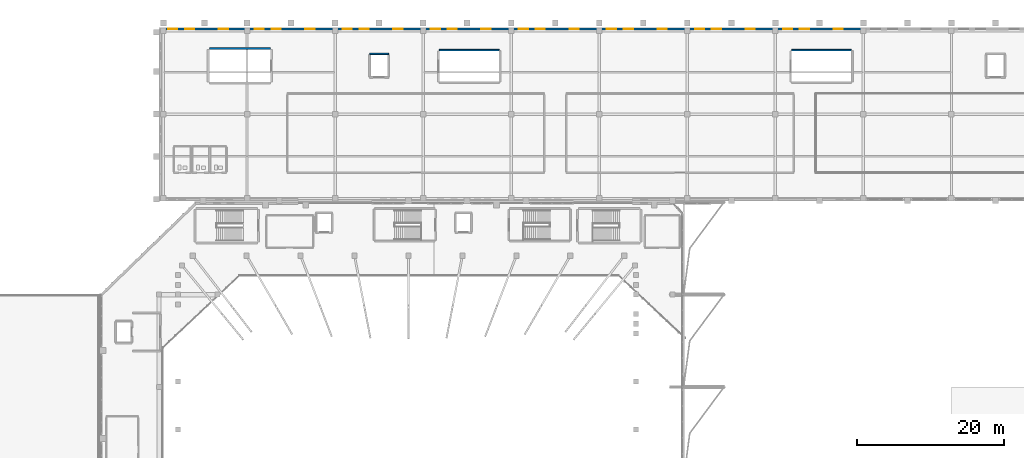
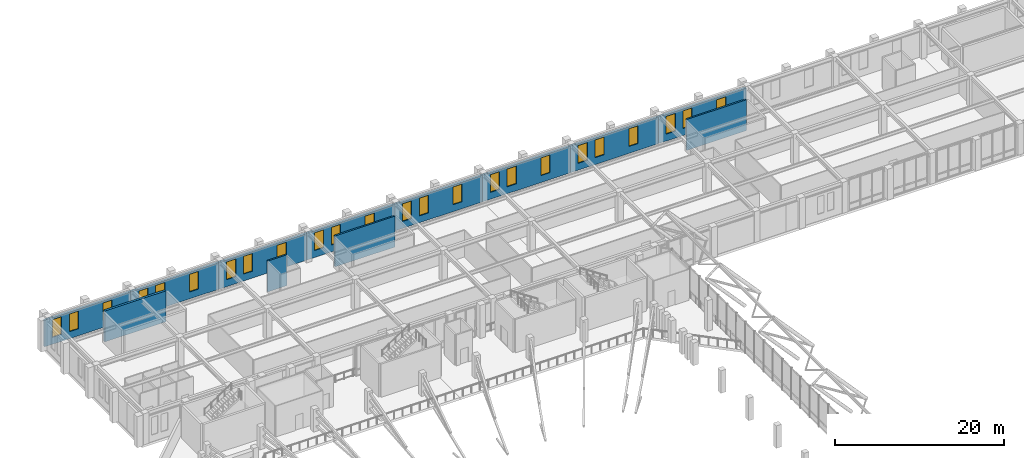
# One storey, part 66 of 79: 24 windows, 12 walls, 24 openings.
"""IFC4 building model written with IfcOpenShell, lengths in metres."""

from ifc_helpers import new_model, si_unit, derived_unit, direction, frame, frame_2d, origin, place, context, subcontext, project, spatial, rectangle, extrude, material, layer, layer_set, type_object, element, fill, save


model = new_model("IFC4")

# Units and contexts
model_context = context("Model", 3, precision=1e-05, world=origin(), true_north=direction((0.0, 1.0)))
body_context = subcontext(model_context, "Body", "Model", "MODEL_VIEW")
ifc_project = project(units=[si_unit("LENGTHUNIT", "METRE"), si_unit("AREAUNIT", "SQUARE_METRE"), si_unit("VOLUMEUNIT", "CUBIC_METRE"), si_unit("PLANEANGLEUNIT", "RADIAN"), si_unit("MASSUNIT", "GRAM", prefix="KILO"), derived_unit("THERMALTRANSMITTANCEUNIT", [(si_unit("MASSUNIT", "GRAM", prefix="KILO"), 1), (si_unit("TIMEUNIT", "SECOND"), -3), (si_unit("THERMODYNAMICTEMPERATUREUNIT", "KELVIN"), -1)])], contexts=[model_context])

# Site, building, storey
site_placement = place(None, origin())
site = spatial("IfcSite", under=ifc_project, at=site_placement, CompositionType="ELEMENT")
building_placement = place(site_placement, origin())
building = spatial("IfcBuilding", under=site, at=building_placement, Name="Valcora Ridge Arena", CompositionType="ELEMENT")
storey_placement = place(building_placement, frame((0.0, 0.0, 16.199951171875)))
storey = spatial("IfcBuildingStorey", under=building, at=storey_placement, Name="L03", CompositionType="ELEMENT", Elevation=16.199951171875)

# Wall, openings, windows
ifc_material_1 = material(Name="Bush-hammered Andean travertine on concrete backup C40/50", Category="masonry")
ifc_layer_1 = layer(ifc_material_1, 0.280029296875, Name="Bush-hammered Andean travertine on concrete backup C40/50")
ifc_layer_set_1 = layer_set([ifc_layer_1], Name="Bush-hammered Andean travertine on concrete backup C40/50")
wall_type_1 = type_object("IfcWallType", Name="TY-WALL-EW-TRV-28-38", PredefinedType="STANDARD", material=ifc_layer_set_1)
wall_1_placement = place(storey_placement, frame((24.219970703125, 131.820068359375, 0.0), z_axis=(0.0, 0.0, 1.0), x_axis=(1.0, 0.0, 0.0)))
wall_1 = element("IfcWall", 1, at=wall_1_placement, inside=storey, type_object=wall_type_1, Name="EW-TRV-28-38 WAL-EW-0194", PredefinedType="STANDARD", context=body_context, shape_type="SweptSolid", body=[
    extrude(rectangle(XDim=11.780029296875, YDim=0.280029296875, at=frame_2d((5.89013671875, 0.0))), origin(), (0.0, 0.0, 1.0), 3.84814453125),
])
opening_1_placement = place(wall_1_placement, frame((1.050048828125, 0.0, 1.0)))
opening_1 = element("IfcOpeningElement", 2, at=opening_1_placement, cuts=wall_1, Name="Opening W-LAN-125X255", PredefinedType="OPENING", context=body_context, shape_type="SweptSolid", body=[
    extrude(rectangle(XDim=1.25, YDim=2.550048828125, at=frame_2d((0.625, 1.27490234375))), frame((0.0, 0.14990234375, 0.0), z_axis=(0.0, -1.0, 0.0), x_axis=(1.0, 0.0, 0.0)), (0.0, 0.0, 1.0), 0.300048828125),
])
opening_2_placement = place(wall_1_placement, frame((3.35009765625, 0.0, 1.0)))
opening_2 = element("IfcOpeningElement", 3, at=opening_2_placement, cuts=wall_1, Name="Opening W-LAN-125X255", PredefinedType="OPENING", context=body_context, shape_type="SweptSolid", body=[
    extrude(rectangle(XDim=1.25, YDim=2.550048828125, at=frame_2d((0.625, 1.27490234375))), frame((0.0, 0.14990234375, 0.0), z_axis=(0.0, -1.0, 0.0), x_axis=(1.0, 0.0, 0.0)), (0.0, 0.0, 1.0), 0.300048828125),
])
opening_3_placement = place(wall_1_placement, frame((7.949951171875, 0.0, 1.0)))
opening_3 = element("IfcOpeningElement", 4, at=opening_3_placement, cuts=wall_1, Name="Opening W-LAN-125X255", PredefinedType="OPENING", context=body_context, shape_type="SweptSolid", body=[
    extrude(rectangle(XDim=1.25, YDim=2.550048828125, at=frame_2d((0.625, 1.27490234375))), frame((0.0, 0.14990234375, 0.0), z_axis=(0.0, -1.0, 0.0), x_axis=(1.0, 0.0, 0.0)), (0.0, 0.0, 1.0), 0.300048828125),
])
ifc_material_2 = material(Name="Low-iron solar-control double glazing SHGC 0.28", Category="glass")
window_type = type_object("IfcWindowType", Name="TY-WINDOW-W-LAN-125X255", PartitioningType="DOUBLE_PANEL_VERTICAL", PredefinedType="WINDOW", material=ifc_material_2)
window_1_placement = place(opening_1_placement, origin())
window_1 = element("IfcWindow", 5, at=window_1_placement, inside=storey, type_object=window_type, Name="W-LAN-125X255 WIN-EX-0584", OverallHeight=2.550048828125, OverallWidth=1.25, PartitioningType="DOUBLE_PANEL_VERTICAL", PredefinedType="WINDOW", context=body_context, shape_type="SweptSolid", body=[
    extrude(rectangle(XDim=1.25, YDim=2.550048828125, at=frame_2d((0.625, 1.27490234375))), frame((0.0, 0.030029296875, 0.0), z_axis=(0.0, -1.0, 0.0), x_axis=(1.0, 0.0, 0.0)), (0.0, 0.0, 1.0), 0.06005859375),
])
fill(opening_1, window_1)
window_2_placement = place(opening_2_placement, origin())
window_2 = element("IfcWindow", 6, at=window_2_placement, inside=storey, type_object=window_type, Name="W-LAN-125X255 WIN-EX-0585", OverallHeight=2.550048828125, OverallWidth=1.25, PartitioningType="DOUBLE_PANEL_VERTICAL", PredefinedType="WINDOW", context=body_context, shape_type="SweptSolid", body=[
    extrude(rectangle(XDim=1.25, YDim=2.550048828125, at=frame_2d((0.625, 1.27490234375))), frame((0.0, 0.030029296875, 0.0), z_axis=(0.0, -1.0, 0.0), x_axis=(1.0, 0.0, 0.0)), (0.0, 0.0, 1.0), 0.06005859375),
])
fill(opening_2, window_2)
window_3_placement = place(opening_3_placement, origin())
window_3 = element("IfcWindow", 7, at=window_3_placement, inside=storey, type_object=window_type, Name="W-LAN-125X255 WIN-EX-0586", OverallHeight=2.550048828125, OverallWidth=1.25, PartitioningType="DOUBLE_PANEL_VERTICAL", PredefinedType="WINDOW", context=body_context, shape_type="SweptSolid", body=[
    extrude(rectangle(XDim=1.25, YDim=2.550048828125, at=frame_2d((0.625, 1.27490234375))), frame((0.0, 0.030029296875, 0.0), z_axis=(0.0, -1.0, 0.0), x_axis=(1.0, 0.0, 0.0)), (0.0, 0.0, 1.0), 0.06005859375),
])
fill(opening_3, window_3)

wall_2_placement = place(storey_placement, frame((36.0, 131.820068359375, 0.0), z_axis=(0.0, 0.0, 1.0), x_axis=(1.0, 0.0, 0.0)))
wall_2 = element("IfcWall", 8, at=wall_2_placement, inside=storey, type_object=wall_type_1, Name="EW-TRV-28-38 WAL-EW-0195", PredefinedType="STANDARD", context=body_context, shape_type="SweptSolid", body=[
    extrude(rectangle(XDim=12.0, YDim=0.280029296875, at=frame_2d((6.0, 0.0))), origin(), (0.0, 0.0, 1.0), 3.84814453125),
])
opening_4_placement = place(wall_2_placement, frame((1.050048828125, 0.0, 1.0)))
opening_4 = element("IfcOpeningElement", 9, at=opening_4_placement, cuts=wall_2, Name="Opening W-LAN-125X255", PredefinedType="OPENING", context=body_context, shape_type="SweptSolid", body=[
    extrude(rectangle(XDim=1.25, YDim=2.550048828125, at=frame_2d((0.625, 1.27490234375))), frame((0.0, 0.14990234375, 0.0), z_axis=(0.0, -1.0, 0.0), x_axis=(1.0, 0.0, 0.0)), (0.0, 0.0, 1.0), 0.300048828125),
])
opening_5_placement = place(wall_2_placement, frame((3.35009765625, 0.0, 1.0)))
opening_5 = element("IfcOpeningElement", 10, at=opening_5_placement, cuts=wall_2, Name="Opening W-LAN-125X255", PredefinedType="OPENING", context=body_context, shape_type="SweptSolid", body=[
    extrude(rectangle(XDim=1.25, YDim=2.550048828125, at=frame_2d((0.625, 1.27490234375))), frame((0.0, 0.14990234375, 0.0), z_axis=(0.0, -1.0, 0.0), x_axis=(1.0, 0.0, 0.0)), (0.0, 0.0, 1.0), 0.300048828125),
])
opening_6_placement = place(wall_2_placement, frame((7.949951171875, 0.0, 1.0)))
opening_6 = element("IfcOpeningElement", 11, at=opening_6_placement, cuts=wall_2, Name="Opening W-LAN-125X255", PredefinedType="OPENING", context=body_context, shape_type="SweptSolid", body=[
    extrude(rectangle(XDim=1.25, YDim=2.550048828125, at=frame_2d((0.625, 1.27490234375))), frame((0.0, 0.14990234375, 0.0), z_axis=(0.0, -1.0, 0.0), x_axis=(1.0, 0.0, 0.0)), (0.0, 0.0, 1.0), 0.300048828125),
])
window_4_placement = place(opening_4_placement, origin())
window_4 = element("IfcWindow", 12, at=window_4_placement, inside=storey, type_object=window_type, Name="W-LAN-125X255 WIN-EX-0587", OverallHeight=2.550048828125, OverallWidth=1.25, PartitioningType="DOUBLE_PANEL_VERTICAL", PredefinedType="WINDOW", context=body_context, shape_type="SweptSolid", body=[
    extrude(rectangle(XDim=1.25, YDim=2.550048828125, at=frame_2d((0.625, 1.27490234375))), frame((0.0, 0.030029296875, 0.0), z_axis=(0.0, -1.0, 0.0), x_axis=(1.0, 0.0, 0.0)), (0.0, 0.0, 1.0), 0.06005859375),
])
fill(opening_4, window_4)
window_5_placement = place(opening_5_placement, origin())
window_5 = element("IfcWindow", 13, at=window_5_placement, inside=storey, type_object=window_type, Name="W-LAN-125X255 WIN-EX-0588", OverallHeight=2.550048828125, OverallWidth=1.25, PartitioningType="DOUBLE_PANEL_VERTICAL", PredefinedType="WINDOW", context=body_context, shape_type="SweptSolid", body=[
    extrude(rectangle(XDim=1.25, YDim=2.550048828125, at=frame_2d((0.625, 1.27490234375))), frame((0.0, 0.030029296875, 0.0), z_axis=(0.0, -1.0, 0.0), x_axis=(1.0, 0.0, 0.0)), (0.0, 0.0, 1.0), 0.06005859375),
])
fill(opening_5, window_5)
window_6_placement = place(opening_6_placement, origin())
window_6 = element("IfcWindow", 14, at=window_6_placement, inside=storey, type_object=window_type, Name="W-LAN-125X255 WIN-EX-0589", OverallHeight=2.550048828125, OverallWidth=1.25, PartitioningType="DOUBLE_PANEL_VERTICAL", PredefinedType="WINDOW", context=body_context, shape_type="SweptSolid", body=[
    extrude(rectangle(XDim=1.25, YDim=2.550048828125, at=frame_2d((0.625, 1.27490234375))), frame((0.0, 0.030029296875, 0.0), z_axis=(0.0, -1.0, 0.0), x_axis=(1.0, 0.0, 0.0)), (0.0, 0.0, 1.0), 0.06005859375),
])
fill(opening_6, window_6)

wall_3_placement = place(storey_placement, frame((48.0, 131.820068359375, 0.0), z_axis=(0.0, 0.0, 1.0), x_axis=(1.0, 0.0, 0.0)))
wall_3 = element("IfcWall", 15, at=wall_3_placement, inside=storey, type_object=wall_type_1, Name="EW-TRV-28-38 WAL-EW-0196", PredefinedType="STANDARD", context=body_context, shape_type="SweptSolid", body=[
    extrude(rectangle(XDim=12.0, YDim=0.280029296875, at=frame_2d((6.0, 0.0))), origin(), (0.0, 0.0, 1.0), 3.84814453125),
])
opening_7_placement = place(wall_3_placement, frame((1.050048828125, 0.0, 1.0)))
opening_7 = element("IfcOpeningElement", 16, at=opening_7_placement, cuts=wall_3, Name="Opening W-LAN-125X255", PredefinedType="OPENING", context=body_context, shape_type="SweptSolid", body=[
    extrude(rectangle(XDim=1.25, YDim=2.550048828125, at=frame_2d((0.625, 1.27490234375))), frame((0.0, 0.14990234375, 0.0), z_axis=(0.0, -1.0, 0.0), x_axis=(1.0, 0.0, 0.0)), (0.0, 0.0, 1.0), 0.300048828125),
])
opening_8_placement = place(wall_3_placement, frame((3.35009765625, 0.0, 1.0)))
opening_8 = element("IfcOpeningElement", 17, at=opening_8_placement, cuts=wall_3, Name="Opening W-LAN-125X255", PredefinedType="OPENING", context=body_context, shape_type="SweptSolid", body=[
    extrude(rectangle(XDim=1.25, YDim=2.550048828125, at=frame_2d((0.625, 1.27490234375))), frame((0.0, 0.14990234375, 0.0), z_axis=(0.0, -1.0, 0.0), x_axis=(1.0, 0.0, 0.0)), (0.0, 0.0, 1.0), 0.300048828125),
])
opening_9_placement = place(wall_3_placement, frame((7.949951171875, 0.0, 1.0)))
opening_9 = element("IfcOpeningElement", 18, at=opening_9_placement, cuts=wall_3, Name="Opening W-LAN-125X255", PredefinedType="OPENING", context=body_context, shape_type="SweptSolid", body=[
    extrude(rectangle(XDim=1.25, YDim=2.550048828125, at=frame_2d((0.625, 1.27490234375))), frame((0.0, 0.14990234375, 0.0), z_axis=(0.0, -1.0, 0.0), x_axis=(1.0, 0.0, 0.0)), (0.0, 0.0, 1.0), 0.300048828125),
])
window_7_placement = place(opening_7_placement, origin())
window_7 = element("IfcWindow", 19, at=window_7_placement, inside=storey, type_object=window_type, Name="W-LAN-125X255 WIN-EX-0590", OverallHeight=2.550048828125, OverallWidth=1.25, PartitioningType="DOUBLE_PANEL_VERTICAL", PredefinedType="WINDOW", context=body_context, shape_type="SweptSolid", body=[
    extrude(rectangle(XDim=1.25, YDim=2.550048828125, at=frame_2d((0.625, 1.27490234375))), frame((0.0, 0.030029296875, 0.0), z_axis=(0.0, -1.0, 0.0), x_axis=(1.0, 0.0, 0.0)), (0.0, 0.0, 1.0), 0.06005859375),
])
fill(opening_7, window_7)
window_8_placement = place(opening_8_placement, origin())
window_8 = element("IfcWindow", 20, at=window_8_placement, inside=storey, type_object=window_type, Name="W-LAN-125X255 WIN-EX-0591", OverallHeight=2.550048828125, OverallWidth=1.25, PartitioningType="DOUBLE_PANEL_VERTICAL", PredefinedType="WINDOW", context=body_context, shape_type="SweptSolid", body=[
    extrude(rectangle(XDim=1.25, YDim=2.550048828125, at=frame_2d((0.625, 1.27490234375))), frame((0.0, 0.030029296875, 0.0), z_axis=(0.0, -1.0, 0.0), x_axis=(1.0, 0.0, 0.0)), (0.0, 0.0, 1.0), 0.06005859375),
])
fill(opening_8, window_8)
window_9_placement = place(opening_9_placement, origin())
window_9 = element("IfcWindow", 21, at=window_9_placement, inside=storey, type_object=window_type, Name="W-LAN-125X255 WIN-EX-0592", OverallHeight=2.550048828125, OverallWidth=1.25, PartitioningType="DOUBLE_PANEL_VERTICAL", PredefinedType="WINDOW", context=body_context, shape_type="SweptSolid", body=[
    extrude(rectangle(XDim=1.25, YDim=2.550048828125, at=frame_2d((0.625, 1.27490234375))), frame((0.0, 0.030029296875, 0.0), z_axis=(0.0, -1.0, 0.0), x_axis=(1.0, 0.0, 0.0)), (0.0, 0.0, 1.0), 0.06005859375),
])
fill(opening_9, window_9)

wall_4_placement = place(storey_placement, frame((60.0, 131.820068359375, 0.0), z_axis=(0.0, 0.0, 1.0), x_axis=(1.0, 0.0, 0.0)))
wall_4 = element("IfcWall", 22, at=wall_4_placement, inside=storey, type_object=wall_type_1, Name="EW-TRV-28-38 WAL-EW-0197", PredefinedType="STANDARD", context=body_context, shape_type="SweptSolid", body=[
    extrude(rectangle(XDim=12.0, YDim=0.280029296875, at=frame_2d((6.0, 0.0))), origin(), (0.0, 0.0, 1.0), 3.84814453125),
])
opening_10_placement = place(wall_4_placement, frame((1.050048828125, 0.0, 1.0)))
opening_10 = element("IfcOpeningElement", 23, at=opening_10_placement, cuts=wall_4, Name="Opening W-LAN-125X255", PredefinedType="OPENING", context=body_context, shape_type="SweptSolid", body=[
    extrude(rectangle(XDim=1.25, YDim=2.550048828125, at=frame_2d((0.625, 1.27490234375))), frame((0.0, 0.14990234375, 0.0), z_axis=(0.0, -1.0, 0.0), x_axis=(1.0, 0.0, 0.0)), (0.0, 0.0, 1.0), 0.300048828125),
])
opening_11_placement = place(wall_4_placement, frame((3.35009765625, 0.0, 1.0)))
opening_11 = element("IfcOpeningElement", 24, at=opening_11_placement, cuts=wall_4, Name="Opening W-LAN-125X255", PredefinedType="OPENING", context=body_context, shape_type="SweptSolid", body=[
    extrude(rectangle(XDim=1.25, YDim=2.550048828125, at=frame_2d((0.625, 1.27490234375))), frame((0.0, 0.14990234375, 0.0), z_axis=(0.0, -1.0, 0.0), x_axis=(1.0, 0.0, 0.0)), (0.0, 0.0, 1.0), 0.300048828125),
])
opening_12_placement = place(wall_4_placement, frame((7.949951171875, 0.0, 1.0)))
opening_12 = element("IfcOpeningElement", 25, at=opening_12_placement, cuts=wall_4, Name="Opening W-LAN-125X255", PredefinedType="OPENING", context=body_context, shape_type="SweptSolid", body=[
    extrude(rectangle(XDim=1.25, YDim=2.550048828125, at=frame_2d((0.625, 1.27490234375))), frame((0.0, 0.14990234375, 0.0), z_axis=(0.0, -1.0, 0.0), x_axis=(1.0, 0.0, 0.0)), (0.0, 0.0, 1.0), 0.300048828125),
])
window_10_placement = place(opening_10_placement, origin())
window_10 = element("IfcWindow", 26, at=window_10_placement, inside=storey, type_object=window_type, Name="W-LAN-125X255 WIN-EX-0593", OverallHeight=2.550048828125, OverallWidth=1.25, PartitioningType="DOUBLE_PANEL_VERTICAL", PredefinedType="WINDOW", context=body_context, shape_type="SweptSolid", body=[
    extrude(rectangle(XDim=1.25, YDim=2.550048828125, at=frame_2d((0.625, 1.27490234375))), frame((0.0, 0.030029296875, 0.0), z_axis=(0.0, -1.0, 0.0), x_axis=(1.0, 0.0, 0.0)), (0.0, 0.0, 1.0), 0.06005859375),
])
fill(opening_10, window_10)
window_11_placement = place(opening_11_placement, origin())
window_11 = element("IfcWindow", 27, at=window_11_placement, inside=storey, type_object=window_type, Name="W-LAN-125X255 WIN-EX-0594", OverallHeight=2.550048828125, OverallWidth=1.25, PartitioningType="DOUBLE_PANEL_VERTICAL", PredefinedType="WINDOW", context=body_context, shape_type="SweptSolid", body=[
    extrude(rectangle(XDim=1.25, YDim=2.550048828125, at=frame_2d((0.625, 1.27490234375))), frame((0.0, 0.030029296875, 0.0), z_axis=(0.0, -1.0, 0.0), x_axis=(1.0, 0.0, 0.0)), (0.0, 0.0, 1.0), 0.06005859375),
])
fill(opening_11, window_11)
window_12_placement = place(opening_12_placement, origin())
window_12 = element("IfcWindow", 28, at=window_12_placement, inside=storey, type_object=window_type, Name="W-LAN-125X255 WIN-EX-0595", OverallHeight=2.550048828125, OverallWidth=1.25, PartitioningType="DOUBLE_PANEL_VERTICAL", PredefinedType="WINDOW", context=body_context, shape_type="SweptSolid", body=[
    extrude(rectangle(XDim=1.25, YDim=2.550048828125, at=frame_2d((0.625, 1.27490234375))), frame((0.0, 0.030029296875, 0.0), z_axis=(0.0, -1.0, 0.0), x_axis=(1.0, 0.0, 0.0)), (0.0, 0.0, 1.0), 0.06005859375),
])
fill(opening_12, window_12)

wall_5_placement = place(storey_placement, frame((72.0, 131.820068359375, 0.0), z_axis=(0.0, 0.0, 1.0), x_axis=(1.0, 0.0, 0.0)))
wall_5 = element("IfcWall", 29, at=wall_5_placement, inside=storey, type_object=wall_type_1, Name="EW-TRV-28-38 WAL-EW-0198", PredefinedType="STANDARD", context=body_context, shape_type="SweptSolid", body=[
    extrude(rectangle(XDim=12.0, YDim=0.280029296875, at=frame_2d((6.0, 0.0))), origin(), (0.0, 0.0, 1.0), 3.84814453125),
])
opening_13_placement = place(wall_5_placement, frame((1.050048828125, 0.0, 1.0)))
opening_13 = element("IfcOpeningElement", 30, at=opening_13_placement, cuts=wall_5, Name="Opening W-LAN-125X255", PredefinedType="OPENING", context=body_context, shape_type="SweptSolid", body=[
    extrude(rectangle(XDim=1.25, YDim=2.550048828125, at=frame_2d((0.625, 1.27490234375))), frame((0.0, 0.14990234375, 0.0), z_axis=(0.0, -1.0, 0.0), x_axis=(1.0, 0.0, 0.0)), (0.0, 0.0, 1.0), 0.300048828125),
])
opening_14_placement = place(wall_5_placement, frame((3.35009765625, 0.0, 1.0)))
opening_14 = element("IfcOpeningElement", 31, at=opening_14_placement, cuts=wall_5, Name="Opening W-LAN-125X255", PredefinedType="OPENING", context=body_context, shape_type="SweptSolid", body=[
    extrude(rectangle(XDim=1.25, YDim=2.550048828125, at=frame_2d((0.625, 1.27490234375))), frame((0.0, 0.14990234375, 0.0), z_axis=(0.0, -1.0, 0.0), x_axis=(1.0, 0.0, 0.0)), (0.0, 0.0, 1.0), 0.300048828125),
])
opening_15_placement = place(wall_5_placement, frame((7.949951171875, 0.0, 1.0)))
opening_15 = element("IfcOpeningElement", 32, at=opening_15_placement, cuts=wall_5, Name="Opening W-LAN-125X255", PredefinedType="OPENING", context=body_context, shape_type="SweptSolid", body=[
    extrude(rectangle(XDim=1.25, YDim=2.550048828125, at=frame_2d((0.625, 1.27490234375))), frame((0.0, 0.14990234375, 0.0), z_axis=(0.0, -1.0, 0.0), x_axis=(1.0, 0.0, 0.0)), (0.0, 0.0, 1.0), 0.300048828125),
])
window_13_placement = place(opening_13_placement, origin())
window_13 = element("IfcWindow", 33, at=window_13_placement, inside=storey, type_object=window_type, Name="W-LAN-125X255 WIN-EX-0596", OverallHeight=2.550048828125, OverallWidth=1.25, PartitioningType="DOUBLE_PANEL_VERTICAL", PredefinedType="WINDOW", context=body_context, shape_type="SweptSolid", body=[
    extrude(rectangle(XDim=1.25, YDim=2.550048828125, at=frame_2d((0.625, 1.27490234375))), frame((0.0, 0.030029296875, 0.0), z_axis=(0.0, -1.0, 0.0), x_axis=(1.0, 0.0, 0.0)), (0.0, 0.0, 1.0), 0.06005859375),
])
fill(opening_13, window_13)
window_14_placement = place(opening_14_placement, origin())
window_14 = element("IfcWindow", 34, at=window_14_placement, inside=storey, type_object=window_type, Name="W-LAN-125X255 WIN-EX-0597", OverallHeight=2.550048828125, OverallWidth=1.25, PartitioningType="DOUBLE_PANEL_VERTICAL", PredefinedType="WINDOW", context=body_context, shape_type="SweptSolid", body=[
    extrude(rectangle(XDim=1.25, YDim=2.550048828125, at=frame_2d((0.625, 1.27490234375))), frame((0.0, 0.030029296875, 0.0), z_axis=(0.0, -1.0, 0.0), x_axis=(1.0, 0.0, 0.0)), (0.0, 0.0, 1.0), 0.06005859375),
])
fill(opening_14, window_14)
window_15_placement = place(opening_15_placement, origin())
window_15 = element("IfcWindow", 35, at=window_15_placement, inside=storey, type_object=window_type, Name="W-LAN-125X255 WIN-EX-0598", OverallHeight=2.550048828125, OverallWidth=1.25, PartitioningType="DOUBLE_PANEL_VERTICAL", PredefinedType="WINDOW", context=body_context, shape_type="SweptSolid", body=[
    extrude(rectangle(XDim=1.25, YDim=2.550048828125, at=frame_2d((0.625, 1.27490234375))), frame((0.0, 0.030029296875, 0.0), z_axis=(0.0, -1.0, 0.0), x_axis=(1.0, 0.0, 0.0)), (0.0, 0.0, 1.0), 0.06005859375),
])
fill(opening_15, window_15)

wall_6_placement = place(storey_placement, frame((84.0, 131.820068359375, 0.0), z_axis=(0.0, 0.0, 1.0), x_axis=(1.0, 0.0, 0.0)))
wall_6 = element("IfcWall", 36, at=wall_6_placement, inside=storey, type_object=wall_type_1, Name="EW-TRV-28-38 WAL-EW-0199", PredefinedType="STANDARD", context=body_context, shape_type="SweptSolid", body=[
    extrude(rectangle(XDim=12.0, YDim=0.280029296875, at=frame_2d((6.0, 0.0))), origin(), (0.0, 0.0, 1.0), 3.84814453125),
])
opening_16_placement = place(wall_6_placement, frame((1.050048828125, 0.0, 1.0)))
opening_16 = element("IfcOpeningElement", 37, at=opening_16_placement, cuts=wall_6, Name="Opening W-LAN-125X255", PredefinedType="OPENING", context=body_context, shape_type="SweptSolid", body=[
    extrude(rectangle(XDim=1.25, YDim=2.550048828125, at=frame_2d((0.625, 1.27490234375))), frame((0.0, 0.14990234375, 0.0), z_axis=(0.0, -1.0, 0.0), x_axis=(1.0, 0.0, 0.0)), (0.0, 0.0, 1.0), 0.300048828125),
])
opening_17_placement = place(wall_6_placement, frame((3.35009765625, 0.0, 1.0)))
opening_17 = element("IfcOpeningElement", 38, at=opening_17_placement, cuts=wall_6, Name="Opening W-LAN-125X255", PredefinedType="OPENING", context=body_context, shape_type="SweptSolid", body=[
    extrude(rectangle(XDim=1.25, YDim=2.550048828125, at=frame_2d((0.625, 1.27490234375))), frame((0.0, 0.14990234375, 0.0), z_axis=(0.0, -1.0, 0.0), x_axis=(1.0, 0.0, 0.0)), (0.0, 0.0, 1.0), 0.300048828125),
])
opening_18_placement = place(wall_6_placement, frame((7.949951171875, 0.0, 1.0)))
opening_18 = element("IfcOpeningElement", 39, at=opening_18_placement, cuts=wall_6, Name="Opening W-LAN-125X255", PredefinedType="OPENING", context=body_context, shape_type="SweptSolid", body=[
    extrude(rectangle(XDim=1.25, YDim=2.550048828125, at=frame_2d((0.625, 1.27490234375))), frame((0.0, 0.14990234375, 0.0), z_axis=(0.0, -1.0, 0.0), x_axis=(1.0, 0.0, 0.0)), (0.0, 0.0, 1.0), 0.300048828125),
])
window_16_placement = place(opening_16_placement, origin())
window_16 = element("IfcWindow", 40, at=window_16_placement, inside=storey, type_object=window_type, Name="W-LAN-125X255 WIN-EX-0599", OverallHeight=2.550048828125, OverallWidth=1.25, PartitioningType="DOUBLE_PANEL_VERTICAL", PredefinedType="WINDOW", context=body_context, shape_type="SweptSolid", body=[
    extrude(rectangle(XDim=1.25, YDim=2.550048828125, at=frame_2d((0.625, 1.27490234375))), frame((0.0, 0.030029296875, 0.0), z_axis=(0.0, -1.0, 0.0), x_axis=(1.0, 0.0, 0.0)), (0.0, 0.0, 1.0), 0.06005859375),
])
fill(opening_16, window_16)
window_17_placement = place(opening_17_placement, origin())
window_17 = element("IfcWindow", 41, at=window_17_placement, inside=storey, type_object=window_type, Name="W-LAN-125X255 WIN-EX-0600", OverallHeight=2.550048828125, OverallWidth=1.25, PartitioningType="DOUBLE_PANEL_VERTICAL", PredefinedType="WINDOW", context=body_context, shape_type="SweptSolid", body=[
    extrude(rectangle(XDim=1.25, YDim=2.550048828125, at=frame_2d((0.625, 1.27490234375))), frame((0.0, 0.030029296875, 0.0), z_axis=(0.0, -1.0, 0.0), x_axis=(1.0, 0.0, 0.0)), (0.0, 0.0, 1.0), 0.06005859375),
])
fill(opening_17, window_17)
window_18_placement = place(opening_18_placement, origin())
window_18 = element("IfcWindow", 42, at=window_18_placement, inside=storey, type_object=window_type, Name="W-LAN-125X255 WIN-EX-0601", OverallHeight=2.550048828125, OverallWidth=1.25, PartitioningType="DOUBLE_PANEL_VERTICAL", PredefinedType="WINDOW", context=body_context, shape_type="SweptSolid", body=[
    extrude(rectangle(XDim=1.25, YDim=2.550048828125, at=frame_2d((0.625, 1.27490234375))), frame((0.0, 0.030029296875, 0.0), z_axis=(0.0, -1.0, 0.0), x_axis=(1.0, 0.0, 0.0)), (0.0, 0.0, 1.0), 0.06005859375),
])
fill(opening_18, window_18)

wall_7_placement = place(storey_placement, frame((96.0, 131.820068359375, 0.0), z_axis=(0.0, 0.0, 1.0), x_axis=(1.0, 0.0, 0.0)))
wall_7 = element("IfcWall", 43, at=wall_7_placement, inside=storey, type_object=wall_type_1, Name="EW-TRV-28-38 WAL-EW-0200", PredefinedType="STANDARD", context=body_context, shape_type="SweptSolid", body=[
    extrude(rectangle(XDim=12.0, YDim=0.280029296875, at=frame_2d((6.0, 0.0))), origin(), (0.0, 0.0, 1.0), 3.84814453125),
])
opening_19_placement = place(wall_7_placement, frame((1.050048828125, 0.0, 1.0)))
opening_19 = element("IfcOpeningElement", 44, at=opening_19_placement, cuts=wall_7, Name="Opening W-LAN-125X255", PredefinedType="OPENING", context=body_context, shape_type="SweptSolid", body=[
    extrude(rectangle(XDim=1.25, YDim=2.550048828125, at=frame_2d((0.625, 1.27490234375))), frame((0.0, 0.14990234375, 0.0), z_axis=(0.0, -1.0, 0.0), x_axis=(1.0, 0.0, 0.0)), (0.0, 0.0, 1.0), 0.300048828125),
])
opening_20_placement = place(wall_7_placement, frame((3.35009765625, 0.0, 1.0)))
opening_20 = element("IfcOpeningElement", 45, at=opening_20_placement, cuts=wall_7, Name="Opening W-LAN-125X255", PredefinedType="OPENING", context=body_context, shape_type="SweptSolid", body=[
    extrude(rectangle(XDim=1.25, YDim=2.550048828125, at=frame_2d((0.625, 1.27490234375))), frame((0.0, 0.14990234375, 0.0), z_axis=(0.0, -1.0, 0.0), x_axis=(1.0, 0.0, 0.0)), (0.0, 0.0, 1.0), 0.300048828125),
])
opening_21_placement = place(wall_7_placement, frame((7.949951171875, 0.0, 1.0)))
opening_21 = element("IfcOpeningElement", 46, at=opening_21_placement, cuts=wall_7, Name="Opening W-LAN-125X255", PredefinedType="OPENING", context=body_context, shape_type="SweptSolid", body=[
    extrude(rectangle(XDim=1.25, YDim=2.550048828125, at=frame_2d((0.625, 1.27490234375))), frame((0.0, 0.14990234375, 0.0), z_axis=(0.0, -1.0, 0.0), x_axis=(1.0, 0.0, 0.0)), (0.0, 0.0, 1.0), 0.300048828125),
])
window_19_placement = place(opening_19_placement, origin())
window_19 = element("IfcWindow", 47, at=window_19_placement, inside=storey, type_object=window_type, Name="W-LAN-125X255 WIN-EX-0602", OverallHeight=2.550048828125, OverallWidth=1.25, PartitioningType="DOUBLE_PANEL_VERTICAL", PredefinedType="WINDOW", context=body_context, shape_type="SweptSolid", body=[
    extrude(rectangle(XDim=1.25, YDim=2.550048828125, at=frame_2d((0.625, 1.27490234375))), frame((0.0, 0.030029296875, 0.0), z_axis=(0.0, -1.0, 0.0), x_axis=(1.0, 0.0, 0.0)), (0.0, 0.0, 1.0), 0.06005859375),
])
fill(opening_19, window_19)
window_20_placement = place(opening_20_placement, origin())
window_20 = element("IfcWindow", 48, at=window_20_placement, inside=storey, type_object=window_type, Name="W-LAN-125X255 WIN-EX-0603", OverallHeight=2.550048828125, OverallWidth=1.25, PartitioningType="DOUBLE_PANEL_VERTICAL", PredefinedType="WINDOW", context=body_context, shape_type="SweptSolid", body=[
    extrude(rectangle(XDim=1.25, YDim=2.550048828125, at=frame_2d((0.625, 1.27490234375))), frame((0.0, 0.030029296875, 0.0), z_axis=(0.0, -1.0, 0.0), x_axis=(1.0, 0.0, 0.0)), (0.0, 0.0, 1.0), 0.06005859375),
])
fill(opening_20, window_20)
window_21_placement = place(opening_21_placement, origin())
window_21 = element("IfcWindow", 49, at=window_21_placement, inside=storey, type_object=window_type, Name="W-LAN-125X255 WIN-EX-0604", OverallHeight=2.550048828125, OverallWidth=1.25, PartitioningType="DOUBLE_PANEL_VERTICAL", PredefinedType="WINDOW", context=body_context, shape_type="SweptSolid", body=[
    extrude(rectangle(XDim=1.25, YDim=2.550048828125, at=frame_2d((0.625, 1.27490234375))), frame((0.0, 0.030029296875, 0.0), z_axis=(0.0, -1.0, 0.0), x_axis=(1.0, 0.0, 0.0)), (0.0, 0.0, 1.0), 0.06005859375),
])
fill(opening_21, window_21)

wall_8_placement = place(storey_placement, frame((108.0, 131.820068359375, 0.0), z_axis=(0.0, 0.0, 1.0), x_axis=(1.0, 0.0, 0.0)))
wall_8 = element("IfcWall", 50, at=wall_8_placement, inside=storey, type_object=wall_type_1, Name="EW-TRV-28-38 WAL-EW-0201", PredefinedType="STANDARD", context=body_context, shape_type="SweptSolid", body=[
    extrude(rectangle(XDim=12.0, YDim=0.280029296875, at=frame_2d((6.0, 0.0))), origin(), (0.0, 0.0, 1.0), 3.84814453125),
])
opening_22_placement = place(wall_8_placement, frame((1.050048828125, 0.0, 1.0)))
opening_22 = element("IfcOpeningElement", 51, at=opening_22_placement, cuts=wall_8, Name="Opening W-LAN-125X255", PredefinedType="OPENING", context=body_context, shape_type="SweptSolid", body=[
    extrude(rectangle(XDim=1.25, YDim=2.550048828125, at=frame_2d((0.625, 1.27490234375))), frame((0.0, 0.14990234375, 0.0), z_axis=(0.0, -1.0, 0.0), x_axis=(1.0, 0.0, 0.0)), (0.0, 0.0, 1.0), 0.300048828125),
])
opening_23_placement = place(wall_8_placement, frame((3.35009765625, 0.0, 1.0)))
opening_23 = element("IfcOpeningElement", 52, at=opening_23_placement, cuts=wall_8, Name="Opening W-LAN-125X255", PredefinedType="OPENING", context=body_context, shape_type="SweptSolid", body=[
    extrude(rectangle(XDim=1.25, YDim=2.550048828125, at=frame_2d((0.625, 1.27490234375))), frame((0.0, 0.14990234375, 0.0), z_axis=(0.0, -1.0, 0.0), x_axis=(1.0, 0.0, 0.0)), (0.0, 0.0, 1.0), 0.300048828125),
])
opening_24_placement = place(wall_8_placement, frame((7.949951171875, 0.0, 1.0)))
opening_24 = element("IfcOpeningElement", 53, at=opening_24_placement, cuts=wall_8, Name="Opening W-LAN-125X255", PredefinedType="OPENING", context=body_context, shape_type="SweptSolid", body=[
    extrude(rectangle(XDim=1.25, YDim=2.550048828125, at=frame_2d((0.625, 1.27490234375))), frame((0.0, 0.14990234375, 0.0), z_axis=(0.0, -1.0, 0.0), x_axis=(1.0, 0.0, 0.0)), (0.0, 0.0, 1.0), 0.300048828125),
])
window_22_placement = place(opening_22_placement, origin())
window_22 = element("IfcWindow", 54, at=window_22_placement, inside=storey, type_object=window_type, Name="W-LAN-125X255 WIN-EX-0605", OverallHeight=2.550048828125, OverallWidth=1.25, PartitioningType="DOUBLE_PANEL_VERTICAL", PredefinedType="WINDOW", context=body_context, shape_type="SweptSolid", body=[
    extrude(rectangle(XDim=1.25, YDim=2.550048828125, at=frame_2d((0.625, 1.27490234375))), frame((0.0, 0.030029296875, 0.0), z_axis=(0.0, -1.0, 0.0), x_axis=(1.0, 0.0, 0.0)), (0.0, 0.0, 1.0), 0.06005859375),
])
fill(opening_22, window_22)
window_23_placement = place(opening_23_placement, origin())
window_23 = element("IfcWindow", 55, at=window_23_placement, inside=storey, type_object=window_type, Name="W-LAN-125X255 WIN-EX-0606", OverallHeight=2.550048828125, OverallWidth=1.25, PartitioningType="DOUBLE_PANEL_VERTICAL", PredefinedType="WINDOW", context=body_context, shape_type="SweptSolid", body=[
    extrude(rectangle(XDim=1.25, YDim=2.550048828125, at=frame_2d((0.625, 1.27490234375))), frame((0.0, 0.030029296875, 0.0), z_axis=(0.0, -1.0, 0.0), x_axis=(1.0, 0.0, 0.0)), (0.0, 0.0, 1.0), 0.06005859375),
])
fill(opening_23, window_23)
window_24_placement = place(opening_24_placement, origin())
window_24 = element("IfcWindow", 56, at=window_24_placement, inside=storey, type_object=window_type, Name="W-LAN-125X255 WIN-EX-0607", OverallHeight=2.550048828125, OverallWidth=1.25, PartitioningType="DOUBLE_PANEL_VERTICAL", PredefinedType="WINDOW", context=body_context, shape_type="SweptSolid", body=[
    extrude(rectangle(XDim=1.25, YDim=2.550048828125, at=frame_2d((0.625, 1.27490234375))), frame((0.0, 0.030029296875, 0.0), z_axis=(0.0, -1.0, 0.0), x_axis=(1.0, 0.0, 0.0)), (0.0, 0.0, 1.0), 0.06005859375),
])
fill(opening_24, window_24)

# Walls
ifc_material_3 = material(Name="Concrete C40/50", Category="concrete")
ifc_layer_2 = layer(ifc_material_3, 0.199951171875, Name="Concrete C40/50")
ifc_layer_set_2 = layer_set([ifc_layer_2], Name="Concrete C40/50")
wall_type_2 = type_object("IfcWallType", Name="TY-WALL-IW-SHF-200", PredefinedType="STANDARD", material=ifc_layer_set_2)
wall_9_placement = place(storey_placement, frame((52.699951171875, 128.39990234375, 0.0), z_axis=(0.0, 0.0, 1.0), x_axis=(1.0, 0.0, 0.0)))
element("IfcWall", 57, at=wall_9_placement, inside=storey, type_object=wall_type_2, Name="IW-SHF-200 WAL-SH-0262", PredefinedType="STANDARD", context=body_context, shape_type="SweptSolid", body=[
    extrude(rectangle(XDim=2.60009765625, YDim=0.199951171875, at=frame_2d((1.300048828125, 0.0))), origin(), (0.0, 0.0, 1.0), 4.4599609375),
])
ifc_material_4 = material(Name="Concrete C45/55", Category="concrete")
ifc_layer_3 = layer(ifc_material_4, 0.300048828125, Name="Concrete C45/55")
ifc_layer_set_3 = layer_set([ifc_layer_3], Name="Concrete C45/55")
wall_type_3 = type_object("IfcWallType", Name="TY-WALL-SW-C300-L", PredefinedType="SHEAR", material=ifc_layer_set_3)
wall_10_placement = place(storey_placement, frame((30.8798828125, 129.14990234375, 0.0), z_axis=(0.0, 0.0, 1.0), x_axis=(1.0, 0.0, 0.0)))
element("IfcWall", 58, at=wall_10_placement, inside=storey, type_object=wall_type_3, Name="SW-C300-L WAL-CR-0194", PredefinedType="SHEAR", context=body_context, shape_type="SweptSolid", body=[
    extrude(rectangle(XDim=8.320068359375, YDim=0.300048828125, at=frame_2d((4.16015625, 0.0))), origin(), (0.0, 0.0, 1.0), 4.4599609375),
])
ifc_material_5 = material(Name="Fire-resisting reinforced concrete enclosure C40/50 200 mm", Category="concrete")
ifc_layer_4 = layer(ifc_material_5, 0.219970703125, Name="Fire-resisting reinforced concrete enclosure C40/50 200 mm")
ifc_layer_set_4 = layer_set([ifc_layer_4], Name="Fire-resisting reinforced concrete enclosure C40/50 200 mm")
wall_type_4 = type_object("IfcWallType", Name="TY-WALL-SW-ES-220", PredefinedType="SHEAR", material=ifc_layer_set_4)
for number, where, z_axis, x_axis, name in (
    (59, (62.199951171875, 128.909912109375, 0.0), (0.0, 0.0, 1.0), (1.0, 0.0, 0.0), "SW-ES-220 WAL-ES-0182"),
    (60, (110.199951171875, 128.909912109375, 0.0), (0.0, 0.0, 1.0), (1.0, 0.0, 0.0), "SW-ES-220 WAL-ES-0202"),
):
    element("IfcWall", number, at=place(storey_placement, frame(where, z_axis=z_axis, x_axis=x_axis)), inside=storey, type_object=wall_type_4, Name=name, PredefinedType="SHEAR", context=body_context, shape_type="SweptSolid", body=[
        extrude(rectangle(XDim=8.16015625, YDim=0.219970703125, at=frame_2d((4.080078125, 0.0))), origin(), (0.0, 0.0, 1.0), 4.4599609375),
    ])

save(model, "model.ifc")
